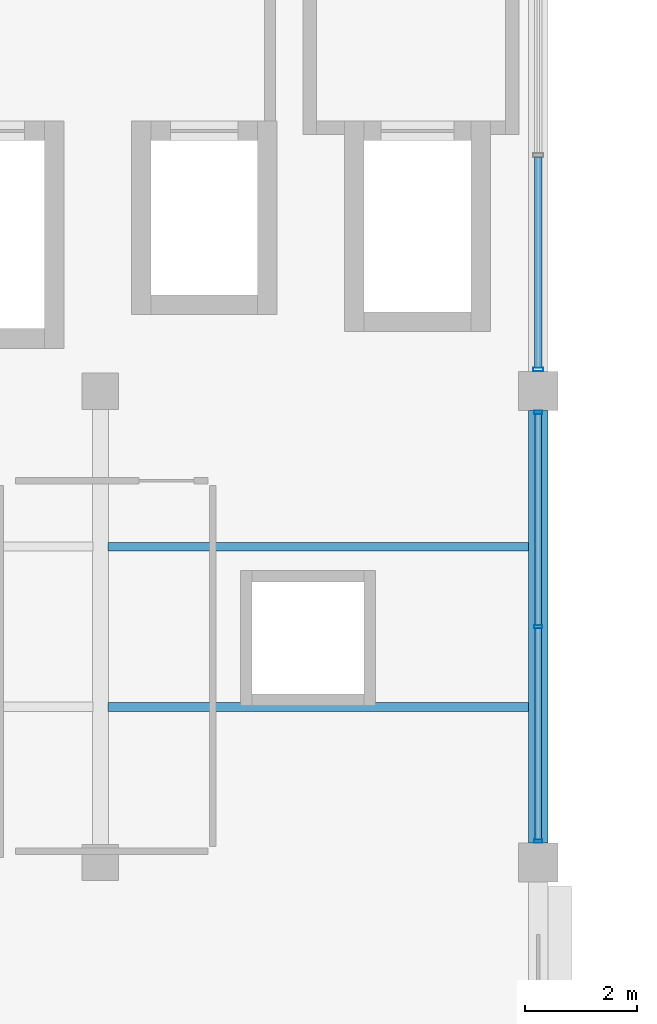
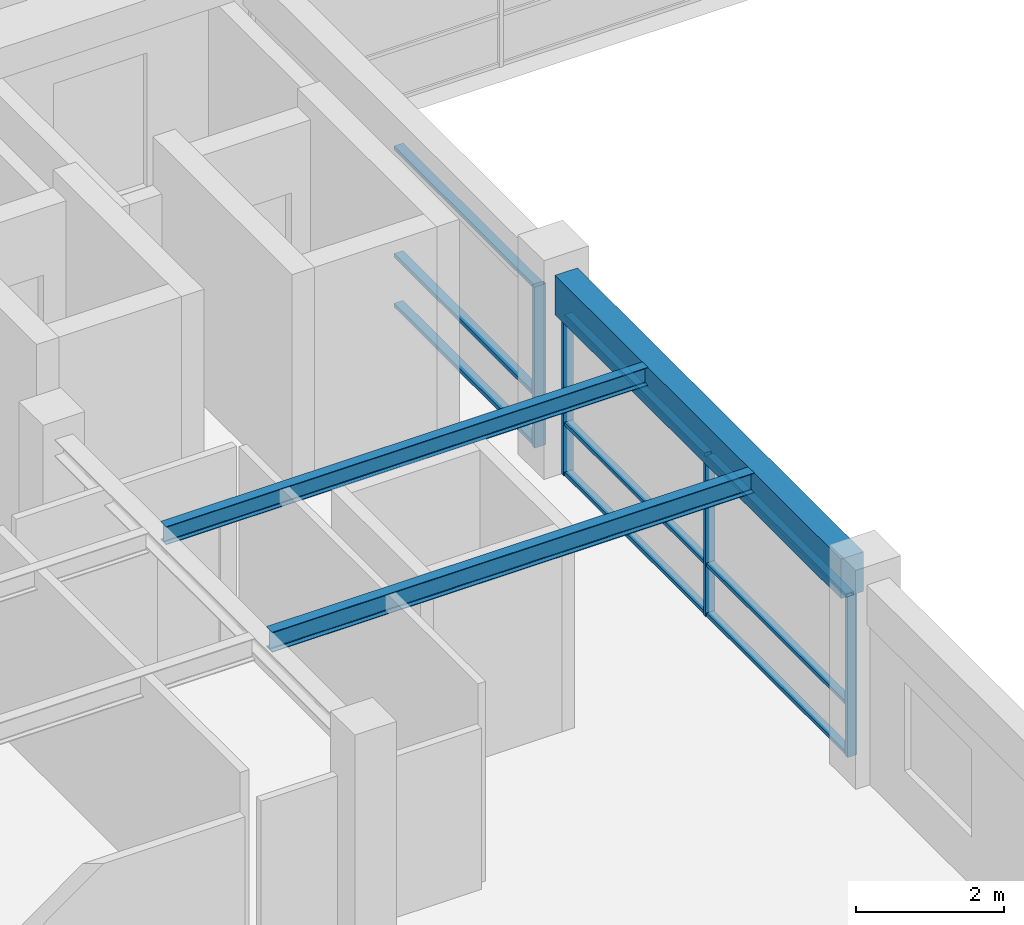
# One storey, part 6 of 49: 13 members, 3 beams, 2 elements without a shape of their own.
"""IFC4 building model written with IfcOpenShell, lengths in metres."""

from ifc_helpers import new_model, si_unit, direction, frame, origin, origin_2d, place, context, subcontext, project, spatial, rectangle, hollow_rectangle, i_section, extrude, material, material_profile, profile_set, type_object, element, aggregate, save


model = new_model("IFC4")

# Units and contexts
model_context = context("Model", 3, precision=1e-05, world=origin(), true_north=direction((0.0, 1.0)))
body_context = subcontext(model_context, "Body", "Model", "MODEL_VIEW")
ifc_project = project(units=[si_unit("LENGTHUNIT", "METRE"), si_unit("AREAUNIT", "SQUARE_METRE"), si_unit("VOLUMEUNIT", "CUBIC_METRE"), si_unit("PLANEANGLEUNIT", "RADIAN"), si_unit("MASSUNIT", "GRAM", prefix="KILO"), si_unit("THERMODYNAMICTEMPERATUREUNIT", "KELVIN"), si_unit("POWERUNIT", "WATT")], contexts=[model_context])

# Site, building, storey
site_placement = place(None, origin())
site = spatial("IfcSite", under=ifc_project, at=site_placement, CompositionType="ELEMENT")
building_placement = place(site_placement, origin())
building = spatial("IfcBuilding", under=site, at=building_placement, Name="Srebrne Nadtorze General Hospital", CompositionType="ELEMENT")
storey_placement = place(building_placement, frame((0.0, 0.0, 26.10009765625)))
storey = spatial("IfcBuildingStorey", under=building, at=storey_placement, Name="L06", CompositionType="ELEMENT", Elevation=26.10009765625)

# Curtain wall, members
ifc_material_1 = material(Name="Anodised Aluminium", Category="aluminium")
curtain_wall_type = type_object("IfcCurtainWallType", Name="Unitised curtain wall 7700x2650", PredefinedType="NOTDEFINED", material=ifc_material_1)
curtain_wall_1_placement = place(storey_placement, origin())
curtain_wall_1 = element("IfcCurtainWall", 1, at=curtain_wall_1_placement, inside=storey, type_object=curtain_wall_type, Name="Curtain wall CW-150", PredefinedType="NOTDEFINED")
ifc_material_2 = material(Name="Anodised Aluminium", Category="aluminium")
ifc_material_profile_1 = material_profile(ifc_material_2, hollow_rectangle(XDim=0.06005859375, YDim=0.14990234375, WallThickness=0.00390625, at=origin_2d()), Name="AL-MUL-60x150")
ifc_profile_set_1 = profile_set([ifc_material_profile_1], Name="Anodised Aluminium")
member_type_1 = type_object("IfcMemberType", Name="Curtain mullion 60x150", PredefinedType="MULLION", material=ifc_profile_set_1)
member_1_placement = place(storey_placement, frame((54.60009765625, 33.97998046875, 0.0), z_axis=(0.0, 0.0, 1.0), x_axis=(0.0, 1.0, 0.0)))
member_1 = element("IfcMember", 2, at=member_1_placement, type_object=member_type_1, Name="CW-150 mullion 1", PredefinedType="MULLION", context=body_context, shape_type="SweptSolid", body=[
    extrude(hollow_rectangle(XDim=0.06005859375, YDim=0.14990234375, WallThickness=0.00390625, at=origin_2d()), origin(), (0.0, 0.0, 1.0), 2.64990234375),
])
member_2_placement = place(storey_placement, frame((54.60009765625, 37.800048828125, 0.0), z_axis=(0.0, 0.0, 1.0), x_axis=(0.0, 1.0, 0.0)))
member_2 = element("IfcMember", 3, at=member_2_placement, type_object=member_type_1, Name="CW-150 mullion 2", PredefinedType="MULLION", context=body_context, shape_type="SweptSolid", body=[
    extrude(hollow_rectangle(XDim=0.06005859375, YDim=0.14990234375, WallThickness=0.00390625, at=origin_2d()), origin(), (0.0, 0.0, 1.0), 2.64990234375),
])
member_3_placement = place(storey_placement, frame((54.60009765625, 41.6201171875, 0.0), z_axis=(0.0, 0.0, 1.0), x_axis=(0.0, 1.0, 0.0)))
member_3 = element("IfcMember", 4, at=member_3_placement, type_object=member_type_1, Name="CW-150 mullion 3", PredefinedType="MULLION", context=body_context, shape_type="SweptSolid", body=[
    extrude(hollow_rectangle(XDim=0.06005859375, YDim=0.14990234375, WallThickness=0.00390625, at=origin_2d()), origin(), (0.0, 0.0, 1.0), 2.64990234375),
])

# Curtain wall, member
curtain_wall_2_placement = place(storey_placement, origin())
curtain_wall_2 = element("IfcCurtainWall", 5, at=curtain_wall_2_placement, inside=storey, type_object=curtain_wall_type, Name="Curtain wall CW-151", PredefinedType="NOTDEFINED")
ifc_material_3 = material(Name="Anodised Aluminium", Category="aluminium")
ifc_material_profile_2 = material_profile(ifc_material_3, hollow_rectangle(XDim=0.06494140625, YDim=0.179931640625, WallThickness=0.00390625, at=origin_2d()), Name="AL-MUL-65x180")
ifc_profile_set_2 = profile_set([ifc_material_profile_2], Name="Anodised Aluminium")
member_type_2 = type_object("IfcMemberType", Name="Curtain mullion 65x180", PredefinedType="MULLION", material=ifc_profile_set_2)
member_4_placement = place(storey_placement, frame((54.60009765625, 42.382568359375, 0.0), z_axis=(0.0, 0.0, 1.0), x_axis=(0.0, 1.0, 0.0)))
member_4 = element("IfcMember", 6, at=member_4_placement, type_object=member_type_2, Name="CW-151 mullion 1", PredefinedType="MULLION", context=body_context, shape_type="SweptSolid", body=[
    extrude(hollow_rectangle(XDim=0.06494140625, YDim=0.179931640625, WallThickness=0.00390625, at=origin_2d()), origin(), (0.0, 0.0, 1.0), 2.64990234375),
])

# Member
ifc_material_4 = material(Name="Anodised Aluminium", Category="aluminium")
ifc_material_profile_3 = material_profile(ifc_material_4, hollow_rectangle(XDim=0.06005859375, YDim=0.1201171875, WallThickness=0.00390625, at=origin_2d()), Name="AL-TRN-60x120")
ifc_profile_set_3 = profile_set([ifc_material_profile_3], Name="Anodised Aluminium")
member_type_3 = type_object("IfcMemberType", Name="Curtain transom 60x120", PredefinedType="USERDEFINED", material=ifc_profile_set_3)
member_5_placement = place(storey_placement, frame((54.60009765625, 34.010009765625, 0.02978515625), z_axis=(0.0, 1.0, 0.0), x_axis=(0.0, 0.0, 1.0)))
member_5 = element("IfcMember", 7, at=member_5_placement, type_object=member_type_3, Name="CW-150 transom 1.1", ObjectType="TRANSOM", PredefinedType="USERDEFINED", context=body_context, shape_type="SweptSolid", body=[
    extrude(hollow_rectangle(XDim=0.06005859375, YDim=0.1201171875, WallThickness=0.00390625, at=origin_2d()), origin(), (0.0, 0.0, 1.0), 3.760009765625),
])

member_6_placement = place(storey_placement, frame((54.60009765625, 34.010009765625, 0.849853515625), z_axis=(0.0, 1.0, 0.0), x_axis=(0.0, 0.0, 1.0)))
member_6 = element("IfcMember", 8, at=member_6_placement, type_object=member_type_3, Name="CW-150 transom 1.2", ObjectType="TRANSOM", PredefinedType="USERDEFINED", context=body_context, shape_type="SweptSolid", body=[
    extrude(hollow_rectangle(XDim=0.06005859375, YDim=0.1201171875, WallThickness=0.00390625, at=origin_2d()), origin(), (0.0, 0.0, 1.0), 3.760009765625),
])

member_7_placement = place(storey_placement, frame((54.60009765625, 34.010009765625, 2.619873046875), z_axis=(0.0, 1.0, 0.0), x_axis=(0.0, 0.0, 1.0)))
member_7 = element("IfcMember", 9, at=member_7_placement, type_object=member_type_3, Name="CW-150 transom 1.3", ObjectType="TRANSOM", PredefinedType="USERDEFINED", context=body_context, shape_type="SweptSolid", body=[
    extrude(hollow_rectangle(XDim=0.06005859375, YDim=0.1201171875, WallThickness=0.00390625, at=origin_2d()), origin(), (0.0, 0.0, 1.0), 3.760009765625),
])

member_8_placement = place(storey_placement, frame((54.60009765625, 37.830078125, 0.02978515625), z_axis=(0.0, 1.0, 0.0), x_axis=(0.0, 0.0, 1.0)))
member_8 = element("IfcMember", 10, at=member_8_placement, type_object=member_type_3, Name="CW-150 transom 2.1", ObjectType="TRANSOM", PredefinedType="USERDEFINED", context=body_context, shape_type="SweptSolid", body=[
    extrude(hollow_rectangle(XDim=0.06005859375, YDim=0.1201171875, WallThickness=0.00390625, at=origin_2d()), origin(), (0.0, 0.0, 1.0), 3.760009765625),
])

member_9_placement = place(storey_placement, frame((54.60009765625, 37.830078125, 0.849853515625), z_axis=(0.0, 1.0, 0.0), x_axis=(0.0, 0.0, 1.0)))
member_9 = element("IfcMember", 11, at=member_9_placement, type_object=member_type_3, Name="CW-150 transom 2.2", ObjectType="TRANSOM", PredefinedType="USERDEFINED", context=body_context, shape_type="SweptSolid", body=[
    extrude(hollow_rectangle(XDim=0.06005859375, YDim=0.1201171875, WallThickness=0.00390625, at=origin_2d()), origin(), (0.0, 0.0, 1.0), 3.760009765625),
])

member_10_placement = place(storey_placement, frame((54.60009765625, 37.830078125, 2.619873046875), z_axis=(0.0, 1.0, 0.0), x_axis=(0.0, 0.0, 1.0)))
member_10 = element("IfcMember", 12, at=member_10_placement, type_object=member_type_3, Name="CW-150 transom 2.3", ObjectType="TRANSOM", PredefinedType="USERDEFINED", context=body_context, shape_type="SweptSolid", body=[
    extrude(hollow_rectangle(XDim=0.06005859375, YDim=0.1201171875, WallThickness=0.00390625, at=origin_2d()), origin(), (0.0, 0.0, 1.0), 3.760009765625),
])

aggregate(curtain_wall_1, [member_1, member_2, member_3, member_5, member_6, member_7, member_8, member_9, member_10])

ifc_material_5 = material(Name="Anodised Aluminium", Category="aluminium")
ifc_material_profile_4 = material_profile(ifc_material_5, hollow_rectangle(XDim=0.06494140625, YDim=0.139892578125, WallThickness=0.00390625, at=origin_2d()), Name="AL-TRN-65x140")
ifc_profile_set_4 = profile_set([ifc_material_profile_4], Name="Anodised Aluminium")
member_type_4 = type_object("IfcMemberType", Name="Curtain transom 65x140", PredefinedType="USERDEFINED", material=ifc_profile_set_4)
member_11_placement = place(storey_placement, frame((54.60009765625, 42.4150390625, 0.032470703125), z_axis=(0.0, 1.0, 0.0), x_axis=(0.0, 0.0, 1.0)))
member_11 = element("IfcMember", 13, at=member_11_placement, type_object=member_type_4, Name="CW-151 transom 1.1", ObjectType="TRANSOM", PredefinedType="USERDEFINED", context=body_context, shape_type="SweptSolid", body=[
    extrude(hollow_rectangle(XDim=0.06494140625, YDim=0.139892578125, WallThickness=0.00390625, at=origin_2d()), origin(), (0.0, 0.0, 1.0), 3.75244140625),
])

member_12_placement = place(storey_placement, frame((54.60009765625, 42.4150390625, 0.849853515625), z_axis=(0.0, 1.0, 0.0), x_axis=(0.0, 0.0, 1.0)))
member_12 = element("IfcMember", 14, at=member_12_placement, type_object=member_type_4, Name="CW-151 transom 1.2", ObjectType="TRANSOM", PredefinedType="USERDEFINED", context=body_context, shape_type="SweptSolid", body=[
    extrude(hollow_rectangle(XDim=0.06494140625, YDim=0.139892578125, WallThickness=0.00390625, at=origin_2d()), origin(), (0.0, 0.0, 1.0), 3.75244140625),
])

member_13_placement = place(storey_placement, frame((54.60009765625, 42.4150390625, 2.617431640625), z_axis=(0.0, 1.0, 0.0), x_axis=(0.0, 0.0, 1.0)))
member_13 = element("IfcMember", 15, at=member_13_placement, type_object=member_type_4, Name="CW-151 transom 1.3", ObjectType="TRANSOM", PredefinedType="USERDEFINED", context=body_context, shape_type="SweptSolid", body=[
    extrude(hollow_rectangle(XDim=0.06494140625, YDim=0.139892578125, WallThickness=0.00390625, at=origin_2d()), origin(), (0.0, 0.0, 1.0), 3.75244140625),
])

aggregate(curtain_wall_2, [member_4, member_11, member_12, member_13])

# Beams
ifc_material_6 = material(Name="Steel S355J2", Category="steel")
ifc_material_profile_5 = material_profile(ifc_material_6, i_section(OverallWidth=0.159912109375, OverallDepth=0.330078125, WebThickness=0.007568359375, FlangeThickness=0.011474609375, FilletRadius=0.01806640625, at=origin_2d()), Name="IPE-330")
ifc_profile_set_5 = profile_set([ifc_material_profile_5], Name="Steel S355J2")
beam_type_1 = type_object("IfcBeamType", Name="Deck joist IPE 330", PredefinedType="JOIST", material=ifc_profile_set_5)
beam_1_placement = place(storey_placement, frame((46.93505859375, 36.3720703125, 3.135009765625), z_axis=(1.0, 0.0, 0.0), x_axis=(0.0, 1.0, 0.0)))
element("IfcBeam", 16, at=beam_1_placement, inside=storey, type_object=beam_type_1, Name="Interstitial deck joist SJ-L06-0124", PredefinedType="JOIST", context=body_context, shape_type="SweptSolid", body=[
    extrude(i_section(OverallWidth=0.159912109375, OverallDepth=0.330078125, WebThickness=0.007568359375, FlangeThickness=0.011474609375, FilletRadius=0.01806640625, at=origin_2d()), origin(), (0.0, 0.0, 1.0), 7.494873046875),
])
ifc_material_7 = material(Name="Concrete C35/45", Category="concrete")
ifc_material_profile_6 = material_profile(ifc_material_7, rectangle(XDim=0.35009765625, YDim=0.64990234375, at=origin_2d()), Name="RC-BM-350x650")
ifc_profile_set_6 = profile_set([ifc_material_profile_6], Name="Concrete C35/45")
beam_type_2 = type_object("IfcBeamType", Name="Edge beam RC 350x650", PredefinedType="BEAM", material=ifc_profile_set_6)
beam_2_placement = place(storey_placement, frame((54.60009765625, 33.949951171875, 2.974853515625), z_axis=(0.0, 1.0, 0.0), x_axis=(-1.0, 0.0, 0.0)))
element("IfcBeam", 17, at=beam_2_placement, inside=storey, type_object=beam_type_2, Name="Beam BM-L06-Y-1211", PredefinedType="BEAM", context=body_context, shape_type="SweptSolid", body=[
    extrude(rectangle(XDim=0.35009765625, YDim=0.64990234375, at=origin_2d()), origin(), (0.0, 0.0, 1.0), 7.699951171875),
])
ifc_material_8 = material(Name="Steel S355J2", Category="steel")
ifc_material_profile_7 = material_profile(ifc_material_8, i_section(OverallWidth=0.14990234375, OverallDepth=0.300048828125, WebThickness=0.007080078125, FlangeThickness=0.0107421875, FilletRadius=0.014892578125, at=origin_2d()), Name="IPE-300")
ifc_profile_set_7 = profile_set([ifc_material_profile_7], Name="Steel S355J2")
beam_type_3 = type_object("IfcBeamType", Name="Secondary joist IPE 300", PredefinedType="JOIST", material=ifc_profile_set_7)
beam_3_placement = place(storey_placement, frame((46.93505859375, 39.22802734375, 3.14990234375), z_axis=(1.0, 0.0, 0.0), x_axis=(0.0, 1.0, 0.0)))
element("IfcBeam", 18, at=beam_3_placement, inside=storey, type_object=beam_type_3, Name="Interstitial deck joist SJ-L06-0125", PredefinedType="JOIST", context=body_context, shape_type="SweptSolid", body=[
    extrude(i_section(OverallWidth=0.14990234375, OverallDepth=0.300048828125, WebThickness=0.007080078125, FlangeThickness=0.0107421875, FilletRadius=0.014892578125, at=origin_2d()), origin(), (0.0, 0.0, 1.0), 7.494873046875),
])

save(model, "model.ifc")
